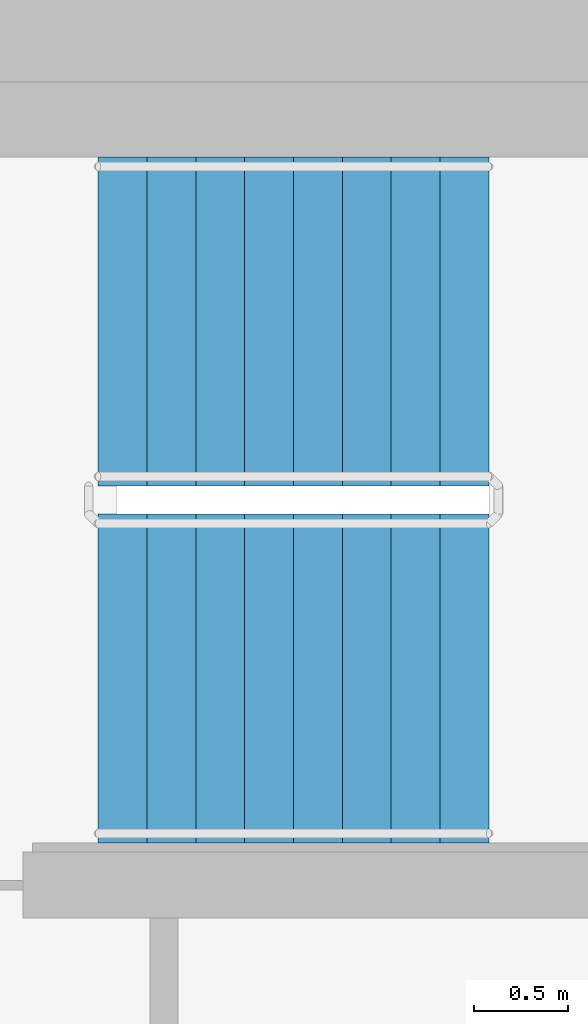
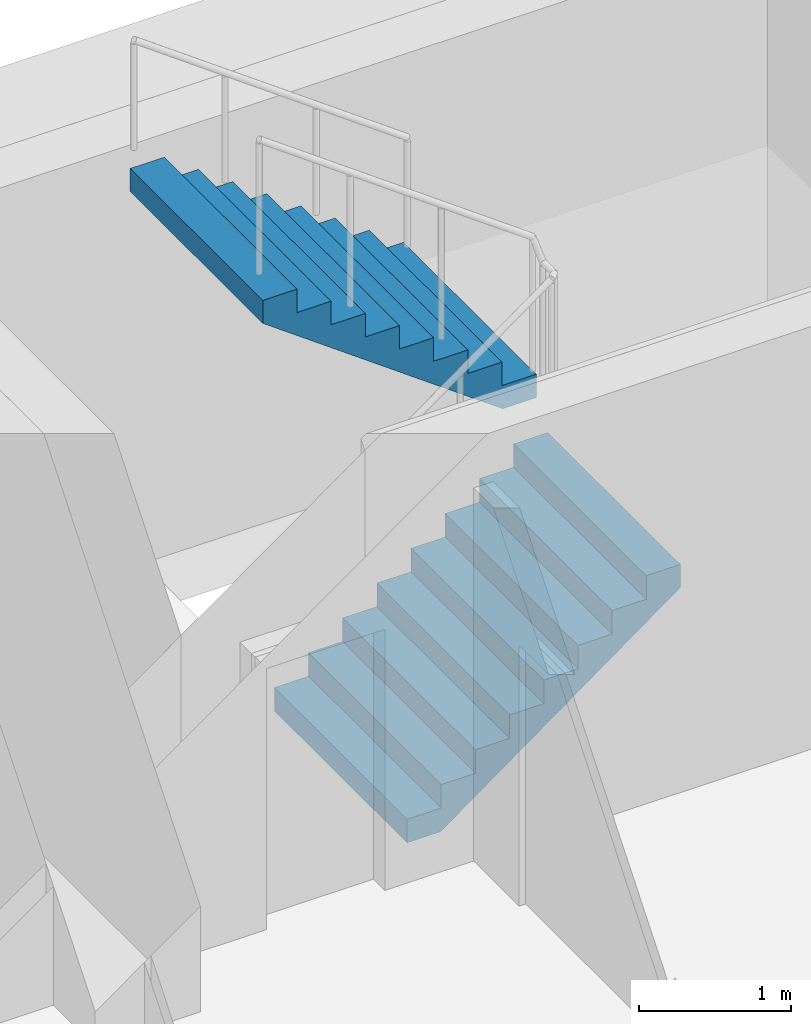
# One storey, part 14 of 19: 2 stair flights, 1 element without a shape of its own.
"""IFC4 building model written with IfcOpenShell, lengths in metres."""

from ifc_helpers import new_model, si_unit, direction, frame, origin, place, context, subcontext, project, spatial, faceted_brep, material, type_object, element, aggregate, save


model = new_model("IFC4")

# Units and contexts
model_context = context("Model", 3, precision=1e-05, world=origin(), true_north=direction((0.0, 1.0)))
body_context = subcontext(model_context, "Body", "Model", "MODEL_VIEW")
ifc_project = project(units=[si_unit("LENGTHUNIT", "METRE"), si_unit("AREAUNIT", "SQUARE_METRE"), si_unit("VOLUMEUNIT", "CUBIC_METRE"), si_unit("PLANEANGLEUNIT", "RADIAN"), si_unit("MASSUNIT", "GRAM", prefix="KILO")], contexts=[model_context])

# Site, building, storey
site_placement = place(None, origin())
site = spatial("IfcSite", under=ifc_project, at=site_placement, CompositionType="ELEMENT")
building_placement = place(site_placement, origin())
building = spatial("IfcBuilding", under=site, at=building_placement, Name="Ipe Terrace Towers", CompositionType="ELEMENT")
storey_placement = place(building_placement, frame((0.0, 0.0, 133.699951171875)))
storey = spatial("IfcBuildingStorey", under=building, at=storey_placement, Name="L36", CompositionType="ELEMENT", Elevation=133.699951171875)

# Stair, stair flights
ifc_material_1 = material(Name="Concrete C30/37", Category="concrete")
stair_type = type_object("IfcStairType", Name="Protected exit stair", PredefinedType="HALF_TURN_STAIR", material=ifc_material_1)
stair_placement = place(storey_placement, origin())
stair = element("IfcStair", 1, at=stair_placement, inside=storey, type_object=stair_type, Name="L36 Exit stair T1-C1", PredefinedType="HALF_TURN_STAIR")
ifc_material_2 = material(Name="Concrete C30/37", Category="concrete")
stair_flight_type = type_object("IfcStairFlightType", Name="Exit stair flight 1750", PredefinedType="STRAIGHT", material=ifc_material_2)
stair_flight_1_placement = place(storey_placement, frame((-26.300048828125, 2.77490234375, 0.0), z_axis=(0.0, 0.0, 1.0), x_axis=(1.0, 0.0, 0.0)))
stair_flight_1 = element("IfcStairFlight", 2, at=stair_flight_1_placement, type_object=stair_flight_type, Name="T1-ST1 flight 1", NumberOfRisers=9, NumberOfTreads=8, PredefinedType="STRAIGHT", RiserHeight=0.188888889, TreadLength=0.26, context=body_context, shape_type="Brep", body=[
    faceted_brep([(0.255126953125, -0.875, 0.0), (2.080078125, -0.875, 1.325927734375), (2.080078125, -0.875, 1.51123046875), (1.820068359375, -0.875, 1.51123046875), (1.820068359375, -0.875, 1.322265625), (1.56005859375, -0.875, 1.322265625), (1.56005859375, -0.875, 1.13330078125), (1.300048828125, -0.875, 1.13330078125), (1.300048828125, -0.875, 0.9443359375), (1.0400390625, -0.875, 0.9443359375), (1.0400390625, -0.875, 0.755615234375), (0.780029296875, -0.875, 0.755615234375), (0.780029296875, -0.875, 0.566650390625), (0.52001953125, -0.875, 0.566650390625), (0.52001953125, -0.875, 0.377685546875), (0.260009765625, -0.875, 0.377685546875), (0.260009765625, -0.875, 0.18896484375), (0.0, -0.875, 0.18896484375), (0.0, -0.875, 0.0), (0.0, 0.875, 0.0), (0.0, 0.875, 0.18896484375), (0.260009765625, 0.875, 0.18896484375), (0.260009765625, 0.875, 0.377685546875), (0.52001953125, 0.875, 0.377685546875), (0.52001953125, 0.875, 0.566650390625), (0.780029296875, 0.875, 0.566650390625), (0.780029296875, 0.875, 0.755615234375), (1.0400390625, 0.875, 0.755615234375), (1.0400390625, 0.875, 0.9443359375), (1.300048828125, 0.875, 0.9443359375), (1.300048828125, 0.875, 1.13330078125), (1.56005859375, 0.875, 1.13330078125), (1.56005859375, 0.875, 1.322265625), (1.820068359375, 0.875, 1.322265625), (1.820068359375, 0.875, 1.51123046875), (2.080078125, 0.875, 1.51123046875), (2.080078125, 0.875, 1.325927734375), (0.255126953125, 0.875, 0.0), (0.0, -0.300048828125, 0.18896484375), (0.0, -0.1201171875, 0.18896484375), (0.0, -0.06005859375, 0.18896484375), (0.0, -0.030029296875, 0.18896484375), (0.0, -0.010009765625, 0.18896484375), (0.0, 0.0, 0.18896484375), (0.0, 0.010009765625, 0.18896484375), (0.0, 0.030029296875, 0.18896484375), (0.0, 0.06005859375, 0.18896484375), (0.0, 0.1201171875, 0.18896484375), (0.0, 0.300048828125, 0.18896484375), (0.0, 0.300048828125, 0.0), (0.0, 0.1201171875, 0.0), (0.0, 0.06005859375, 0.0), (0.0, 0.030029296875, 0.0), (0.0, 0.010009765625, 0.0), (0.0, 0.0, 0.0), (0.0, -0.010009765625, 0.0), (0.0, -0.030029296875, 0.0), (0.0, -0.06005859375, 0.0), (0.0, -0.1201171875, 0.0), (0.0, -0.300048828125, 0.0), (0.260009765625, -0.300048828125, 0.18896484375), (0.260009765625, -0.1201171875, 0.18896484375), (0.260009765625, -0.06005859375, 0.18896484375), (0.260009765625, -0.030029296875, 0.18896484375), (0.260009765625, -0.010009765625, 0.18896484375), (0.260009765625, 0.0, 0.18896484375), (0.260009765625, 0.010009765625, 0.18896484375), (0.260009765625, 0.030029296875, 0.18896484375), (0.260009765625, 0.06005859375, 0.18896484375), (0.260009765625, 0.1201171875, 0.18896484375), (0.260009765625, 0.300048828125, 0.18896484375), (0.260009765625, -0.300048828125, 0.377685546875), (0.260009765625, -0.1201171875, 0.377685546875), (0.260009765625, -0.06005859375, 0.377685546875), (0.260009765625, -0.030029296875, 0.377685546875), (0.260009765625, -0.010009765625, 0.377685546875), (0.260009765625, 0.0, 0.377685546875), (0.260009765625, 0.010009765625, 0.377685546875), (0.260009765625, 0.030029296875, 0.377685546875), (0.260009765625, 0.06005859375, 0.377685546875), (0.260009765625, 0.1201171875, 0.377685546875), (0.260009765625, 0.300048828125, 0.377685546875), (0.52001953125, -0.300048828125, 0.377685546875), (0.52001953125, -0.1201171875, 0.377685546875), (0.52001953125, -0.06005859375, 0.377685546875), (0.52001953125, -0.030029296875, 0.377685546875), (0.52001953125, -0.010009765625, 0.377685546875), (0.52001953125, 0.0, 0.377685546875), (0.52001953125, 0.010009765625, 0.377685546875), (0.52001953125, 0.030029296875, 0.377685546875), (0.52001953125, 0.06005859375, 0.377685546875), (0.52001953125, 0.1201171875, 0.377685546875), (0.52001953125, 0.300048828125, 0.377685546875), (0.52001953125, -0.300048828125, 0.566650390625), (0.52001953125, -0.1201171875, 0.566650390625), (0.52001953125, -0.06005859375, 0.566650390625), (0.52001953125, -0.030029296875, 0.566650390625), (0.52001953125, -0.010009765625, 0.566650390625), (0.52001953125, 0.0, 0.566650390625), (0.52001953125, 0.010009765625, 0.566650390625), (0.52001953125, 0.030029296875, 0.566650390625), (0.52001953125, 0.06005859375, 0.566650390625), (0.52001953125, 0.1201171875, 0.566650390625), (0.52001953125, 0.300048828125, 0.566650390625), (0.780029296875, -0.300048828125, 0.566650390625), (0.780029296875, -0.1201171875, 0.566650390625), (0.780029296875, -0.06005859375, 0.566650390625), (0.780029296875, -0.030029296875, 0.566650390625), (0.780029296875, -0.010009765625, 0.566650390625), (0.780029296875, 0.0, 0.566650390625), (0.780029296875, 0.010009765625, 0.566650390625), (0.780029296875, 0.030029296875, 0.566650390625), (0.780029296875, 0.06005859375, 0.566650390625), (0.780029296875, 0.1201171875, 0.566650390625), (0.780029296875, 0.300048828125, 0.566650390625), (0.780029296875, -0.300048828125, 0.755615234375), (0.780029296875, -0.1201171875, 0.755615234375), (0.780029296875, -0.06005859375, 0.755615234375), (0.780029296875, -0.030029296875, 0.755615234375), (0.780029296875, -0.010009765625, 0.755615234375), (0.780029296875, 0.0, 0.755615234375), (0.780029296875, 0.010009765625, 0.755615234375), (0.780029296875, 0.030029296875, 0.755615234375), (0.780029296875, 0.06005859375, 0.755615234375), (0.780029296875, 0.1201171875, 0.755615234375), (0.780029296875, 0.300048828125, 0.755615234375), (1.0400390625, -0.300048828125, 0.755615234375), (1.0400390625, -0.1201171875, 0.755615234375), (1.0400390625, -0.06005859375, 0.755615234375), (1.0400390625, -0.030029296875, 0.755615234375), (1.0400390625, -0.010009765625, 0.755615234375), (1.0400390625, 0.0, 0.755615234375), (1.0400390625, 0.010009765625, 0.755615234375), (1.0400390625, 0.030029296875, 0.755615234375), (1.0400390625, 0.06005859375, 0.755615234375), (1.0400390625, 0.1201171875, 0.755615234375), (1.0400390625, 0.300048828125, 0.755615234375), (1.0400390625, -0.300048828125, 0.9443359375), (1.0400390625, -0.1201171875, 0.9443359375), (1.0400390625, -0.06005859375, 0.9443359375), (1.0400390625, -0.030029296875, 0.9443359375), (1.0400390625, -0.010009765625, 0.9443359375), (1.0400390625, 0.0, 0.9443359375), (1.0400390625, 0.010009765625, 0.9443359375), (1.0400390625, 0.030029296875, 0.9443359375), (1.0400390625, 0.06005859375, 0.9443359375), (1.0400390625, 0.1201171875, 0.9443359375), (1.0400390625, 0.300048828125, 0.9443359375), (1.300048828125, -0.300048828125, 0.9443359375), (1.300048828125, -0.1201171875, 0.9443359375), (1.300048828125, -0.06005859375, 0.9443359375), (1.300048828125, -0.030029296875, 0.9443359375), (1.300048828125, -0.010009765625, 0.9443359375), (1.300048828125, 0.0, 0.9443359375), (1.300048828125, 0.010009765625, 0.9443359375), (1.300048828125, 0.030029296875, 0.9443359375), (1.300048828125, 0.06005859375, 0.9443359375), (1.300048828125, 0.1201171875, 0.9443359375), (1.300048828125, 0.300048828125, 0.9443359375), (1.300048828125, -0.300048828125, 1.13330078125), (1.300048828125, -0.1201171875, 1.13330078125), (1.300048828125, -0.06005859375, 1.13330078125), (1.300048828125, -0.030029296875, 1.13330078125), (1.300048828125, -0.010009765625, 1.13330078125), (1.300048828125, 0.0, 1.13330078125), (1.300048828125, 0.010009765625, 1.13330078125), (1.300048828125, 0.030029296875, 1.13330078125), (1.300048828125, 0.06005859375, 1.13330078125), (1.300048828125, 0.1201171875, 1.13330078125), (1.300048828125, 0.300048828125, 1.13330078125), (1.56005859375, -0.300048828125, 1.13330078125), (1.56005859375, -0.1201171875, 1.13330078125), (1.56005859375, -0.06005859375, 1.13330078125), (1.56005859375, -0.030029296875, 1.13330078125), (1.56005859375, -0.010009765625, 1.13330078125), (1.56005859375, 0.0, 1.13330078125), (1.56005859375, 0.010009765625, 1.13330078125), (1.56005859375, 0.030029296875, 1.13330078125), (1.56005859375, 0.06005859375, 1.13330078125), (1.56005859375, 0.1201171875, 1.13330078125), (1.56005859375, 0.300048828125, 1.13330078125), (1.56005859375, -0.300048828125, 1.322265625), (1.56005859375, -0.1201171875, 1.322265625), (1.56005859375, -0.06005859375, 1.322265625), (1.56005859375, -0.030029296875, 1.322265625), (1.56005859375, -0.010009765625, 1.322265625), (1.56005859375, 0.0, 1.322265625), (1.56005859375, 0.010009765625, 1.322265625), (1.56005859375, 0.030029296875, 1.322265625), (1.56005859375, 0.06005859375, 1.322265625), (1.56005859375, 0.1201171875, 1.322265625), (1.56005859375, 0.300048828125, 1.322265625), (1.820068359375, -0.300048828125, 1.322265625), (1.820068359375, -0.1201171875, 1.322265625), (1.820068359375, -0.06005859375, 1.322265625), (1.820068359375, -0.030029296875, 1.322265625), (1.820068359375, -0.010009765625, 1.322265625), (1.820068359375, 0.0, 1.322265625), (1.820068359375, 0.010009765625, 1.322265625), (1.820068359375, 0.030029296875, 1.322265625), (1.820068359375, 0.06005859375, 1.322265625), (1.820068359375, 0.1201171875, 1.322265625), (1.820068359375, 0.300048828125, 1.322265625), (1.820068359375, -0.300048828125, 1.51123046875), (1.820068359375, -0.1201171875, 1.51123046875), (1.820068359375, -0.06005859375, 1.51123046875), (1.820068359375, -0.030029296875, 1.51123046875), (1.820068359375, -0.010009765625, 1.51123046875), (1.820068359375, 0.0, 1.51123046875), (1.820068359375, 0.010009765625, 1.51123046875), (1.820068359375, 0.030029296875, 1.51123046875), (1.820068359375, 0.06005859375, 1.51123046875), (1.820068359375, 0.1201171875, 1.51123046875), (1.820068359375, 0.300048828125, 1.51123046875), (2.080078125, -0.300048828125, 1.51123046875), (2.080078125, -0.1201171875, 1.51123046875), (2.080078125, -0.06005859375, 1.51123046875), (2.080078125, -0.030029296875, 1.51123046875), (2.080078125, -0.010009765625, 1.51123046875), (2.080078125, 0.0, 1.51123046875), (2.080078125, 0.010009765625, 1.51123046875), (2.080078125, 0.030029296875, 1.51123046875), (2.080078125, 0.06005859375, 1.51123046875), (2.080078125, 0.1201171875, 1.51123046875), (2.080078125, 0.300048828125, 1.51123046875), (2.080078125, -0.300048828125, 1.325927734375), (2.080078125, -0.1201171875, 1.325927734375), (2.080078125, -0.06005859375, 1.325927734375), (2.080078125, -0.030029296875, 1.325927734375), (2.080078125, -0.010009765625, 1.325927734375), (2.080078125, 0.0, 1.325927734375), (2.080078125, 0.010009765625, 1.325927734375), (2.080078125, 0.030029296875, 1.325927734375), (2.080078125, 0.06005859375, 1.325927734375), (2.080078125, 0.1201171875, 1.325927734375), (2.080078125, 0.300048828125, 1.325927734375), (0.255126953125, -0.300048828125, 0.0), (0.255126953125, -0.1201171875, 0.0), (0.255126953125, -0.06005859375, 0.0), (0.255126953125, -0.030029296875, 0.0), (0.255126953125, -0.010009765625, 0.0), (0.255126953125, 0.0, 0.0), (0.255126953125, 0.010009765625, 0.0), (0.255126953125, 0.030029296875, 0.0), (0.255126953125, 0.06005859375, 0.0), (0.255126953125, 0.1201171875, 0.0), (0.255126953125, 0.300048828125, 0.0)], [[[0, 1, 2, 3, 4, 5, 6, 7, 8, 9, 10, 11, 12, 13, 14, 15, 16, 17, 18]], [[19, 20, 21, 22, 23, 24, 25, 26, 27, 28, 29, 30, 31, 32, 33, 34, 35, 36, 37]], [[17, 38, 39, 40, 41, 42, 43, 44, 45, 46, 47, 48, 20, 19, 49, 50, 51, 52, 53, 54, 55, 56, 57, 58, 59, 18]], [[16, 60, 61, 62, 63, 64, 65, 66, 67, 68, 69, 70, 21, 20, 48, 47, 46, 45, 44, 43, 42, 41, 40, 39, 38, 17]], [[15, 71, 72, 73, 74, 75, 76, 77, 78, 79, 80, 81, 22, 21, 70, 69, 68, 67, 66, 65, 64, 63, 62, 61, 60, 16]], [[14, 82, 83, 84, 85, 86, 87, 88, 89, 90, 91, 92, 23, 22, 81, 80, 79, 78, 77, 76, 75, 74, 73, 72, 71, 15]], [[13, 93, 94, 95, 96, 97, 98, 99, 100, 101, 102, 103, 24, 23, 92, 91, 90, 89, 88, 87, 86, 85, 84, 83, 82, 14]], [[12, 104, 105, 106, 107, 108, 109, 110, 111, 112, 113, 114, 25, 24, 103, 102, 101, 100, 99, 98, 97, 96, 95, 94, 93, 13]], [[11, 115, 116, 117, 118, 119, 120, 121, 122, 123, 124, 125, 26, 25, 114, 113, 112, 111, 110, 109, 108, 107, 106, 105, 104, 12]], [[10, 126, 127, 128, 129, 130, 131, 132, 133, 134, 135, 136, 27, 26, 125, 124, 123, 122, 121, 120, 119, 118, 117, 116, 115, 11]], [[9, 137, 138, 139, 140, 141, 142, 143, 144, 145, 146, 147, 28, 27, 136, 135, 134, 133, 132, 131, 130, 129, 128, 127, 126, 10]], [[8, 148, 149, 150, 151, 152, 153, 154, 155, 156, 157, 158, 29, 28, 147, 146, 145, 144, 143, 142, 141, 140, 139, 138, 137, 9]], [[7, 159, 160, 161, 162, 163, 164, 165, 166, 167, 168, 169, 30, 29, 158, 157, 156, 155, 154, 153, 152, 151, 150, 149, 148, 8]], [[6, 170, 171, 172, 173, 174, 175, 176, 177, 178, 179, 180, 31, 30, 169, 168, 167, 166, 165, 164, 163, 162, 161, 160, 159, 7]], [[5, 181, 182, 183, 184, 185, 186, 187, 188, 189, 190, 191, 32, 31, 180, 179, 178, 177, 176, 175, 174, 173, 172, 171, 170, 6]], [[4, 192, 193, 194, 195, 196, 197, 198, 199, 200, 201, 202, 33, 32, 191, 190, 189, 188, 187, 186, 185, 184, 183, 182, 181, 5]], [[3, 203, 204, 205, 206, 207, 208, 209, 210, 211, 212, 213, 34, 33, 202, 201, 200, 199, 198, 197, 196, 195, 194, 193, 192, 4]], [[2, 214, 215, 216, 217, 218, 219, 220, 221, 222, 223, 224, 35, 34, 213, 212, 211, 210, 209, 208, 207, 206, 205, 204, 203, 3]], [[1, 225, 226, 227, 228, 229, 230, 231, 232, 233, 234, 235, 36, 35, 224, 223, 222, 221, 220, 219, 218, 217, 216, 215, 214, 2]], [[0, 236, 237, 238, 239, 240, 241, 242, 243, 244, 245, 246, 37, 36, 235, 234, 233, 232, 231, 230, 229, 228, 227, 226, 225, 1]], [[18, 59, 58, 57, 56, 55, 54, 53, 52, 51, 50, 49, 19, 37, 246, 245, 244, 243, 242, 241, 240, 239, 238, 237, 236, 0]]]),
])
stair_flight_2_placement = place(storey_placement, frame((-24.219970703125, 4.675048828125, 1.699951171875), z_axis=(0.0, 0.0, 1.0), x_axis=(-1.0, 0.0, 0.0)))
stair_flight_2 = element("IfcStairFlight", 3, at=stair_flight_2_placement, type_object=stair_flight_type, Name="T1-ST1 flight 2", NumberOfRisers=9, NumberOfTreads=8, PredefinedType="STRAIGHT", RiserHeight=0.188888889, TreadLength=0.26, context=body_context, shape_type="Brep", body=[
    faceted_brep([(0.255126953125, -0.875, 0.0), (2.080078125, -0.875, 1.325927734375), (2.080078125, -0.875, 1.51123046875), (1.820068359375, -0.875, 1.51123046875), (1.820068359375, -0.875, 1.322265625), (1.56005859375, -0.875, 1.322265625), (1.56005859375, -0.875, 1.13330078125), (1.300048828125, -0.875, 1.13330078125), (1.300048828125, -0.875, 0.9443359375), (1.0400390625, -0.875, 0.9443359375), (1.0400390625, -0.875, 0.755615234375), (0.780029296875, -0.875, 0.755615234375), (0.780029296875, -0.875, 0.566650390625), (0.52001953125, -0.875, 0.566650390625), (0.52001953125, -0.875, 0.377685546875), (0.260009765625, -0.875, 0.377685546875), (0.260009765625, -0.875, 0.18896484375), (0.0, -0.875, 0.18896484375), (0.0, -0.875, 0.0), (0.0, 0.875, 0.0), (0.0, 0.875, 0.18896484375), (0.260009765625, 0.875, 0.18896484375), (0.260009765625, 0.875, 0.377685546875), (0.52001953125, 0.875, 0.377685546875), (0.52001953125, 0.875, 0.566650390625), (0.780029296875, 0.875, 0.566650390625), (0.780029296875, 0.875, 0.755615234375), (1.0400390625, 0.875, 0.755615234375), (1.0400390625, 0.875, 0.9443359375), (1.300048828125, 0.875, 0.9443359375), (1.300048828125, 0.875, 1.13330078125), (1.56005859375, 0.875, 1.13330078125), (1.56005859375, 0.875, 1.322265625), (1.820068359375, 0.875, 1.322265625), (1.820068359375, 0.875, 1.51123046875), (2.080078125, 0.875, 1.51123046875), (2.080078125, 0.875, 1.325927734375), (0.255126953125, 0.875, 0.0), (0.0, -0.300048828125, 0.18896484375), (0.0, -0.1201171875, 0.18896484375), (0.0, -0.06005859375, 0.18896484375), (0.0, -0.030029296875, 0.18896484375), (0.0, -0.010009765625, 0.18896484375), (0.0, 0.0, 0.18896484375), (0.0, 0.010009765625, 0.18896484375), (0.0, 0.030029296875, 0.18896484375), (0.0, 0.06005859375, 0.18896484375), (0.0, 0.1201171875, 0.18896484375), (0.0, 0.300048828125, 0.18896484375), (0.0, 0.300048828125, 0.0), (0.0, 0.1201171875, 0.0), (0.0, 0.06005859375, 0.0), (0.0, 0.030029296875, 0.0), (0.0, 0.010009765625, 0.0), (0.0, 0.0, 0.0), (0.0, -0.010009765625, 0.0), (0.0, -0.030029296875, 0.0), (0.0, -0.06005859375, 0.0), (0.0, -0.1201171875, 0.0), (0.0, -0.300048828125, 0.0), (0.260009765625, -0.300048828125, 0.18896484375), (0.260009765625, -0.1201171875, 0.18896484375), (0.260009765625, -0.06005859375, 0.18896484375), (0.260009765625, -0.030029296875, 0.18896484375), (0.260009765625, -0.010009765625, 0.18896484375), (0.260009765625, 0.0, 0.18896484375), (0.260009765625, 0.010009765625, 0.18896484375), (0.260009765625, 0.030029296875, 0.18896484375), (0.260009765625, 0.06005859375, 0.18896484375), (0.260009765625, 0.1201171875, 0.18896484375), (0.260009765625, 0.300048828125, 0.18896484375), (0.260009765625, -0.300048828125, 0.377685546875), (0.260009765625, -0.1201171875, 0.377685546875), (0.260009765625, -0.06005859375, 0.377685546875), (0.260009765625, -0.030029296875, 0.377685546875), (0.260009765625, -0.010009765625, 0.377685546875), (0.260009765625, 0.0, 0.377685546875), (0.260009765625, 0.010009765625, 0.377685546875), (0.260009765625, 0.030029296875, 0.377685546875), (0.260009765625, 0.06005859375, 0.377685546875), (0.260009765625, 0.1201171875, 0.377685546875), (0.260009765625, 0.300048828125, 0.377685546875), (0.52001953125, -0.300048828125, 0.377685546875), (0.52001953125, -0.1201171875, 0.377685546875), (0.52001953125, -0.06005859375, 0.377685546875), (0.52001953125, -0.030029296875, 0.377685546875), (0.52001953125, -0.010009765625, 0.377685546875), (0.52001953125, 0.0, 0.377685546875), (0.52001953125, 0.010009765625, 0.377685546875), (0.52001953125, 0.030029296875, 0.377685546875), (0.52001953125, 0.06005859375, 0.377685546875), (0.52001953125, 0.1201171875, 0.377685546875), (0.52001953125, 0.300048828125, 0.377685546875), (0.52001953125, -0.300048828125, 0.566650390625), (0.52001953125, -0.1201171875, 0.566650390625), (0.52001953125, -0.06005859375, 0.566650390625), (0.52001953125, -0.030029296875, 0.566650390625), (0.52001953125, -0.010009765625, 0.566650390625), (0.52001953125, 0.0, 0.566650390625), (0.52001953125, 0.010009765625, 0.566650390625), (0.52001953125, 0.030029296875, 0.566650390625), (0.52001953125, 0.06005859375, 0.566650390625), (0.52001953125, 0.1201171875, 0.566650390625), (0.52001953125, 0.300048828125, 0.566650390625), (0.780029296875, -0.300048828125, 0.566650390625), (0.780029296875, -0.1201171875, 0.566650390625), (0.780029296875, -0.06005859375, 0.566650390625), (0.780029296875, -0.030029296875, 0.566650390625), (0.780029296875, -0.010009765625, 0.566650390625), (0.780029296875, 0.0, 0.566650390625), (0.780029296875, 0.010009765625, 0.566650390625), (0.780029296875, 0.030029296875, 0.566650390625), (0.780029296875, 0.06005859375, 0.566650390625), (0.780029296875, 0.1201171875, 0.566650390625), (0.780029296875, 0.300048828125, 0.566650390625), (0.780029296875, -0.300048828125, 0.755615234375), (0.780029296875, -0.1201171875, 0.755615234375), (0.780029296875, -0.06005859375, 0.755615234375), (0.780029296875, -0.030029296875, 0.755615234375), (0.780029296875, -0.010009765625, 0.755615234375), (0.780029296875, 0.0, 0.755615234375), (0.780029296875, 0.010009765625, 0.755615234375), (0.780029296875, 0.030029296875, 0.755615234375), (0.780029296875, 0.06005859375, 0.755615234375), (0.780029296875, 0.1201171875, 0.755615234375), (0.780029296875, 0.300048828125, 0.755615234375), (1.0400390625, -0.300048828125, 0.755615234375), (1.0400390625, -0.1201171875, 0.755615234375), (1.0400390625, -0.06005859375, 0.755615234375), (1.0400390625, -0.030029296875, 0.755615234375), (1.0400390625, -0.010009765625, 0.755615234375), (1.0400390625, 0.0, 0.755615234375), (1.0400390625, 0.010009765625, 0.755615234375), (1.0400390625, 0.030029296875, 0.755615234375), (1.0400390625, 0.06005859375, 0.755615234375), (1.0400390625, 0.1201171875, 0.755615234375), (1.0400390625, 0.300048828125, 0.755615234375), (1.0400390625, -0.300048828125, 0.9443359375), (1.0400390625, -0.1201171875, 0.9443359375), (1.0400390625, -0.06005859375, 0.9443359375), (1.0400390625, -0.030029296875, 0.9443359375), (1.0400390625, -0.010009765625, 0.9443359375), (1.0400390625, 0.0, 0.9443359375), (1.0400390625, 0.010009765625, 0.9443359375), (1.0400390625, 0.030029296875, 0.9443359375), (1.0400390625, 0.06005859375, 0.9443359375), (1.0400390625, 0.1201171875, 0.9443359375), (1.0400390625, 0.300048828125, 0.9443359375), (1.300048828125, -0.300048828125, 0.9443359375), (1.300048828125, -0.1201171875, 0.9443359375), (1.300048828125, -0.06005859375, 0.9443359375), (1.300048828125, -0.030029296875, 0.9443359375), (1.300048828125, -0.010009765625, 0.9443359375), (1.300048828125, 0.0, 0.9443359375), (1.300048828125, 0.010009765625, 0.9443359375), (1.300048828125, 0.030029296875, 0.9443359375), (1.300048828125, 0.06005859375, 0.9443359375), (1.300048828125, 0.1201171875, 0.9443359375), (1.300048828125, 0.300048828125, 0.9443359375), (1.300048828125, -0.300048828125, 1.13330078125), (1.300048828125, -0.1201171875, 1.13330078125), (1.300048828125, -0.06005859375, 1.13330078125), (1.300048828125, -0.030029296875, 1.13330078125), (1.300048828125, -0.010009765625, 1.13330078125), (1.300048828125, 0.0, 1.13330078125), (1.300048828125, 0.010009765625, 1.13330078125), (1.300048828125, 0.030029296875, 1.13330078125), (1.300048828125, 0.06005859375, 1.13330078125), (1.300048828125, 0.1201171875, 1.13330078125), (1.300048828125, 0.300048828125, 1.13330078125), (1.56005859375, -0.300048828125, 1.13330078125), (1.56005859375, -0.1201171875, 1.13330078125), (1.56005859375, -0.06005859375, 1.13330078125), (1.56005859375, -0.030029296875, 1.13330078125), (1.56005859375, -0.010009765625, 1.13330078125), (1.56005859375, 0.0, 1.13330078125), (1.56005859375, 0.010009765625, 1.13330078125), (1.56005859375, 0.030029296875, 1.13330078125), (1.56005859375, 0.06005859375, 1.13330078125), (1.56005859375, 0.1201171875, 1.13330078125), (1.56005859375, 0.300048828125, 1.13330078125), (1.56005859375, -0.300048828125, 1.322265625), (1.56005859375, -0.1201171875, 1.322265625), (1.56005859375, -0.06005859375, 1.322265625), (1.56005859375, -0.030029296875, 1.322265625), (1.56005859375, -0.010009765625, 1.322265625), (1.56005859375, 0.0, 1.322265625), (1.56005859375, 0.010009765625, 1.322265625), (1.56005859375, 0.030029296875, 1.322265625), (1.56005859375, 0.06005859375, 1.322265625), (1.56005859375, 0.1201171875, 1.322265625), (1.56005859375, 0.300048828125, 1.322265625), (1.820068359375, -0.300048828125, 1.322265625), (1.820068359375, -0.1201171875, 1.322265625), (1.820068359375, -0.06005859375, 1.322265625), (1.820068359375, -0.030029296875, 1.322265625), (1.820068359375, -0.010009765625, 1.322265625), (1.820068359375, 0.0, 1.322265625), (1.820068359375, 0.010009765625, 1.322265625), (1.820068359375, 0.030029296875, 1.322265625), (1.820068359375, 0.06005859375, 1.322265625), (1.820068359375, 0.1201171875, 1.322265625), (1.820068359375, 0.300048828125, 1.322265625), (1.820068359375, -0.300048828125, 1.51123046875), (1.820068359375, -0.1201171875, 1.51123046875), (1.820068359375, -0.06005859375, 1.51123046875), (1.820068359375, -0.030029296875, 1.51123046875), (1.820068359375, -0.010009765625, 1.51123046875), (1.820068359375, 0.0, 1.51123046875), (1.820068359375, 0.010009765625, 1.51123046875), (1.820068359375, 0.030029296875, 1.51123046875), (1.820068359375, 0.06005859375, 1.51123046875), (1.820068359375, 0.1201171875, 1.51123046875), (1.820068359375, 0.300048828125, 1.51123046875), (2.080078125, -0.300048828125, 1.51123046875), (2.080078125, -0.1201171875, 1.51123046875), (2.080078125, -0.06005859375, 1.51123046875), (2.080078125, -0.030029296875, 1.51123046875), (2.080078125, -0.010009765625, 1.51123046875), (2.080078125, 0.0, 1.51123046875), (2.080078125, 0.010009765625, 1.51123046875), (2.080078125, 0.030029296875, 1.51123046875), (2.080078125, 0.06005859375, 1.51123046875), (2.080078125, 0.1201171875, 1.51123046875), (2.080078125, 0.300048828125, 1.51123046875), (2.080078125, -0.300048828125, 1.325927734375), (2.080078125, -0.1201171875, 1.325927734375), (2.080078125, -0.06005859375, 1.325927734375), (2.080078125, -0.030029296875, 1.325927734375), (2.080078125, -0.010009765625, 1.325927734375), (2.080078125, 0.0, 1.325927734375), (2.080078125, 0.010009765625, 1.325927734375), (2.080078125, 0.030029296875, 1.325927734375), (2.080078125, 0.06005859375, 1.325927734375), (2.080078125, 0.1201171875, 1.325927734375), (2.080078125, 0.300048828125, 1.325927734375), (0.255126953125, -0.300048828125, 0.0), (0.255126953125, -0.1201171875, 0.0), (0.255126953125, -0.06005859375, 0.0), (0.255126953125, -0.030029296875, 0.0), (0.255126953125, -0.010009765625, 0.0), (0.255126953125, 0.0, 0.0), (0.255126953125, 0.010009765625, 0.0), (0.255126953125, 0.030029296875, 0.0), (0.255126953125, 0.06005859375, 0.0), (0.255126953125, 0.1201171875, 0.0), (0.255126953125, 0.300048828125, 0.0)], [[[0, 1, 2, 3, 4, 5, 6, 7, 8, 9, 10, 11, 12, 13, 14, 15, 16, 17, 18]], [[19, 20, 21, 22, 23, 24, 25, 26, 27, 28, 29, 30, 31, 32, 33, 34, 35, 36, 37]], [[17, 38, 39, 40, 41, 42, 43, 44, 45, 46, 47, 48, 20, 19, 49, 50, 51, 52, 53, 54, 55, 56, 57, 58, 59, 18]], [[16, 60, 61, 62, 63, 64, 65, 66, 67, 68, 69, 70, 21, 20, 48, 47, 46, 45, 44, 43, 42, 41, 40, 39, 38, 17]], [[15, 71, 72, 73, 74, 75, 76, 77, 78, 79, 80, 81, 22, 21, 70, 69, 68, 67, 66, 65, 64, 63, 62, 61, 60, 16]], [[14, 82, 83, 84, 85, 86, 87, 88, 89, 90, 91, 92, 23, 22, 81, 80, 79, 78, 77, 76, 75, 74, 73, 72, 71, 15]], [[13, 93, 94, 95, 96, 97, 98, 99, 100, 101, 102, 103, 24, 23, 92, 91, 90, 89, 88, 87, 86, 85, 84, 83, 82, 14]], [[12, 104, 105, 106, 107, 108, 109, 110, 111, 112, 113, 114, 25, 24, 103, 102, 101, 100, 99, 98, 97, 96, 95, 94, 93, 13]], [[11, 115, 116, 117, 118, 119, 120, 121, 122, 123, 124, 125, 26, 25, 114, 113, 112, 111, 110, 109, 108, 107, 106, 105, 104, 12]], [[10, 126, 127, 128, 129, 130, 131, 132, 133, 134, 135, 136, 27, 26, 125, 124, 123, 122, 121, 120, 119, 118, 117, 116, 115, 11]], [[9, 137, 138, 139, 140, 141, 142, 143, 144, 145, 146, 147, 28, 27, 136, 135, 134, 133, 132, 131, 130, 129, 128, 127, 126, 10]], [[8, 148, 149, 150, 151, 152, 153, 154, 155, 156, 157, 158, 29, 28, 147, 146, 145, 144, 143, 142, 141, 140, 139, 138, 137, 9]], [[7, 159, 160, 161, 162, 163, 164, 165, 166, 167, 168, 169, 30, 29, 158, 157, 156, 155, 154, 153, 152, 151, 150, 149, 148, 8]], [[6, 170, 171, 172, 173, 174, 175, 176, 177, 178, 179, 180, 31, 30, 169, 168, 167, 166, 165, 164, 163, 162, 161, 160, 159, 7]], [[5, 181, 182, 183, 184, 185, 186, 187, 188, 189, 190, 191, 32, 31, 180, 179, 178, 177, 176, 175, 174, 173, 172, 171, 170, 6]], [[4, 192, 193, 194, 195, 196, 197, 198, 199, 200, 201, 202, 33, 32, 191, 190, 189, 188, 187, 186, 185, 184, 183, 182, 181, 5]], [[3, 203, 204, 205, 206, 207, 208, 209, 210, 211, 212, 213, 34, 33, 202, 201, 200, 199, 198, 197, 196, 195, 194, 193, 192, 4]], [[2, 214, 215, 216, 217, 218, 219, 220, 221, 222, 223, 224, 35, 34, 213, 212, 211, 210, 209, 208, 207, 206, 205, 204, 203, 3]], [[1, 225, 226, 227, 228, 229, 230, 231, 232, 233, 234, 235, 36, 35, 224, 223, 222, 221, 220, 219, 218, 217, 216, 215, 214, 2]], [[0, 236, 237, 238, 239, 240, 241, 242, 243, 244, 245, 246, 37, 36, 235, 234, 233, 232, 231, 230, 229, 228, 227, 226, 225, 1]], [[18, 59, 58, 57, 56, 55, 54, 53, 52, 51, 50, 49, 19, 37, 246, 245, 244, 243, 242, 241, 240, 239, 238, 237, 236, 0]]]),
])
aggregate(stair, [stair_flight_1, stair_flight_2])

save(model, "model.ifc")
